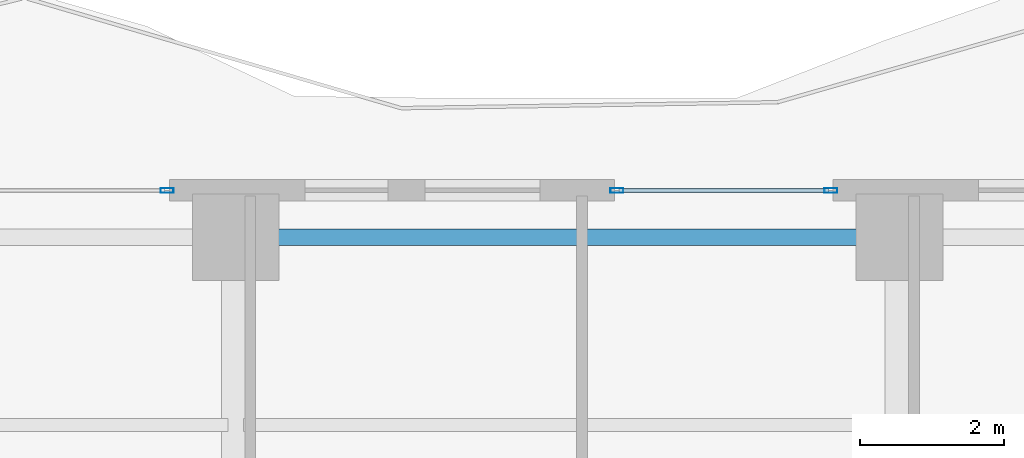
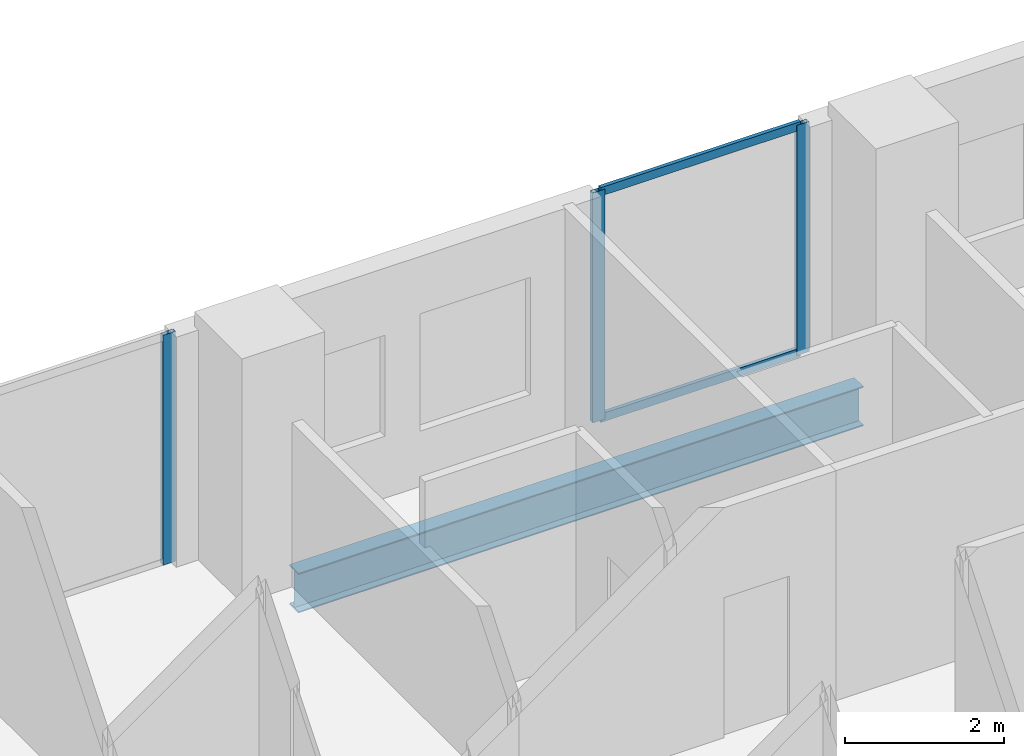
# One storey, part 19 of 32: 5 members, 1 beam, 2 elements without a shape of their own.
"""IFC4 building model written with IfcOpenShell, lengths in metres."""

from ifc_helpers import new_model, si_unit, direction, frame, origin, origin_2d, place, context, subcontext, project, spatial, hollow_rectangle, i_section, extrude, material, layer, layer_set, material_profile, profile_set, type_object, element, aggregate, save


model = new_model("IFC4")

# Units and contexts
model_context = context("Model", 3, precision=1e-05, world=origin(), true_north=direction((0.0, 1.0)))
body_context = subcontext(model_context, "Body", "Model", "MODEL_VIEW")
ifc_project = project(units=[si_unit("LENGTHUNIT", "METRE"), si_unit("AREAUNIT", "SQUARE_METRE"), si_unit("VOLUMEUNIT", "CUBIC_METRE"), si_unit("PLANEANGLEUNIT", "RADIAN"), si_unit("MASSUNIT", "GRAM", prefix="KILO")], contexts=[model_context])

# Site, building, storey
site_placement = place(None, origin())
site = spatial("IfcSite", under=ifc_project, at=site_placement, CompositionType="ELEMENT")
building_placement = place(site_placement, origin())
building = spatial("IfcBuilding", under=site, at=building_placement, Name="Zuhayl Quay Hotel", CompositionType="ELEMENT")
storey_placement = place(building_placement, frame((0.0, 0.0, 226.14990234375)))
storey = spatial("IfcBuildingStorey", under=building, at=storey_placement, Name="L57", CompositionType="ELEMENT", Elevation=226.14990234375)

# Beam
ifc_material_1 = material(Name="Steel ASTM A992 Grade 50", Category="steel")
ifc_material_profile_1 = material_profile(ifc_material_1, i_section(OverallWidth=0.22802734375, OverallDepth=0.60693359375, WebThickness=0.01123046875, FlangeThickness=0.017333984375, at=origin_2d()), Name="W24X76")
ifc_profile_set_1 = profile_set([ifc_material_profile_1], Name="Steel ASTM A992 Grade 50")
beam_type = type_object("IfcBeamType", Name="BM_B3_W24X76", PredefinedType="BEAM", material=ifc_profile_set_1)
beam_placement = place(storey_placement, frame((4.10009765625, 32.949951171875, -0.5234375), z_axis=(-1.0, 0.0, 0.0), x_axis=(0.0, -1.0, 0.0)))
element("IfcBeam", 1, at=beam_placement, inside=storey, type_object=beam_type, Name="L57 Floor Beam RG_L57_08", PredefinedType="BEAM", context=body_context, shape_type="SweptSolid", body=[
    extrude(i_section(OverallWidth=0.22802734375, OverallDepth=0.60693359375, WebThickness=0.01123046875, FlangeThickness=0.017333984375, at=origin_2d()), origin(), (0.0, 0.0, 1.0), 8.2001953125),
])

# Curtain wall, member
ifc_material_2 = material(Name="Anodised Aluminium 6063-T6", Category="aluminium")
ifc_layer = layer(ifc_material_2, 0.175048828125, Name="Anodised Aluminium 6063-T6", Category="aluminium")
ifc_layer_set = layer_set([ifc_layer], Name="Anodised Aluminium 6063-T6")
curtain_wall_type = type_object("IfcCurtainWallType", Name="CW_SYS_Z3", PredefinedType="USERDEFINED", material=ifc_layer_set)
curtain_wall_1_placement = place(storey_placement, origin())
curtain_wall_1 = element("IfcCurtainWall", 2, at=curtain_wall_1_placement, inside=storey, type_object=curtain_wall_type, Name="L57 Curtain Wall ENV_L57_N_CW3", ObjectType="UNITISED CURTAIN WALL", PredefinedType="USERDEFINED")
ifc_material_3 = material(Name="Black-anodised aluminium 6063-T6", Category="aluminium")
ifc_material_profile_2 = material_profile(ifc_material_3, hollow_rectangle(XDim=0.06494140625, YDim=0.179931640625, WallThickness=0.00341796875, at=origin_2d()), Name="ALU180X65")
ifc_profile_set_2 = profile_set([ifc_material_profile_2], Name="Black-anodised aluminium 6063-T6")
member_type_1 = type_object("IfcMemberType", Name="MB_CW_MUL_180", PredefinedType="MULLION", material=ifc_profile_set_2)
member_1_placement = place(storey_placement, frame((-5.552490234375, 33.60009765625, 0.0), z_axis=(0.0, 0.0, 1.0), x_axis=(0.0, 1.0, 0.0)))
member_1 = element("IfcMember", 3, at=member_1_placement, type_object=member_type_1, Name="CW-Z3 mullion 2", PredefinedType="MULLION", context=body_context, shape_type="SweptSolid", body=[
    extrude(hollow_rectangle(XDim=0.06494140625, YDim=0.179931640625, WallThickness=0.00341796875, at=origin_2d()), origin(), (0.0, 0.0, 1.0), 3.530029296875),
])
aggregate(curtain_wall_1, [member_1])

# Curtain wall, members
curtain_wall_2_placement = place(storey_placement, origin())
curtain_wall_2 = element("IfcCurtainWall", 4, at=curtain_wall_2_placement, inside=storey, type_object=curtain_wall_type, Name="L57 Curtain Wall ENV_L57_N_CW4", ObjectType="UNITISED CURTAIN WALL", PredefinedType="USERDEFINED")
member_2_placement = place(storey_placement, frame((0.6826171875, 33.60009765625, 0.0), z_axis=(0.0, 0.0, 1.0), x_axis=(0.0, 1.0, 0.0)))
member_2 = element("IfcMember", 5, at=member_2_placement, type_object=member_type_1, Name="CW-Z3 mullion 1", PredefinedType="MULLION", context=body_context, shape_type="SweptSolid", body=[
    extrude(hollow_rectangle(XDim=0.06494140625, YDim=0.179931640625, WallThickness=0.00341796875, at=origin_2d()), origin(), (0.0, 0.0, 1.0), 3.530029296875),
])
member_3_placement = place(storey_placement, frame((3.6474609375, 33.60009765625, 0.0), z_axis=(0.0, 0.0, 1.0), x_axis=(0.0, 1.0, 0.0)))
member_3 = element("IfcMember", 6, at=member_3_placement, type_object=member_type_1, Name="CW-Z3 mullion 2", PredefinedType="MULLION", context=body_context, shape_type="SweptSolid", body=[
    extrude(hollow_rectangle(XDim=0.06494140625, YDim=0.179931640625, WallThickness=0.00341796875, at=origin_2d()), origin(), (0.0, 0.0, 1.0), 3.530029296875),
])
ifc_material_profile_3 = material_profile(ifc_material_3, hollow_rectangle(XDim=0.054931640625, YDim=0.1298828125, WallThickness=0.0029296875, at=origin_2d()), Name="ALU130X55")
ifc_profile_set_3 = profile_set([ifc_material_profile_3], Name="Black-anodised aluminium 6063-T6")
member_type_2 = type_object("IfcMemberType", Name="MB_CW_TRN_130", PredefinedType="USERDEFINED", material=ifc_profile_set_3)
member_4_placement = place(storey_placement, frame((0.715087890625, 33.60009765625, 0.027587890625), z_axis=(1.0, 0.0, 0.0), x_axis=(0.0, 1.0, 0.0)))
member_4 = element("IfcMember", 7, at=member_4_placement, type_object=member_type_2, Name="CW-Z3 transom 1.1", ObjectType="TRANSOM", PredefinedType="USERDEFINED", context=body_context, shape_type="SweptSolid", body=[
    extrude(hollow_rectangle(XDim=0.054931640625, YDim=0.1298828125, WallThickness=0.0029296875, at=origin_2d()), origin(), (0.0, 0.0, 1.0), 2.89990234375),
])
member_5_placement = place(storey_placement, frame((0.715087890625, 33.60009765625, 3.502685546875), z_axis=(1.0, 0.0, 0.0), x_axis=(0.0, 1.0, 0.0)))
member_5 = element("IfcMember", 8, at=member_5_placement, type_object=member_type_2, Name="CW-Z3 transom 1.2", ObjectType="TRANSOM", PredefinedType="USERDEFINED", context=body_context, shape_type="SweptSolid", body=[
    extrude(hollow_rectangle(XDim=0.054931640625, YDim=0.1298828125, WallThickness=0.0029296875, at=origin_2d()), origin(), (0.0, 0.0, 1.0), 2.89990234375),
])
aggregate(curtain_wall_2, [member_2, member_3, member_4, member_5])

save(model, "model.ifc")
